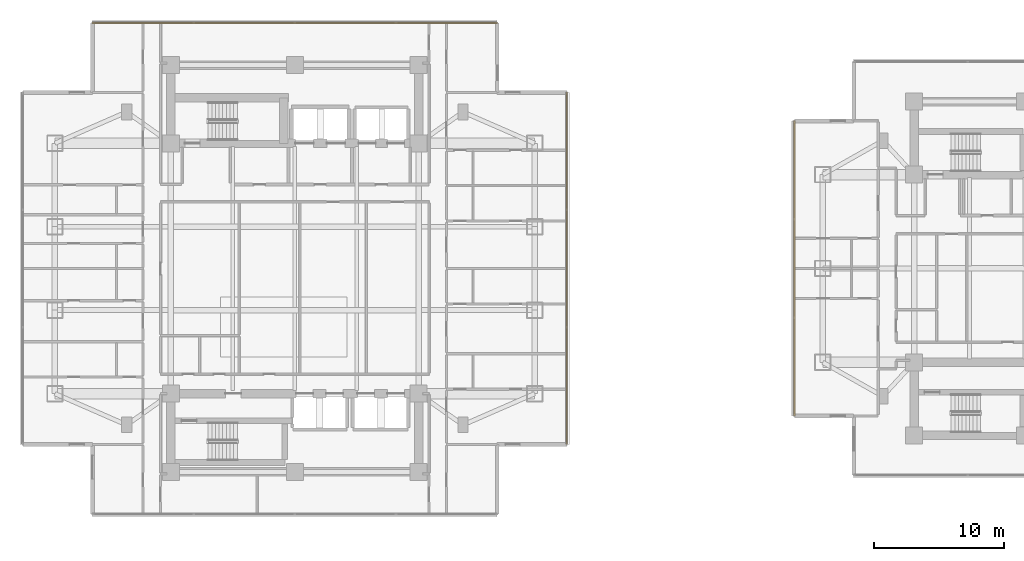
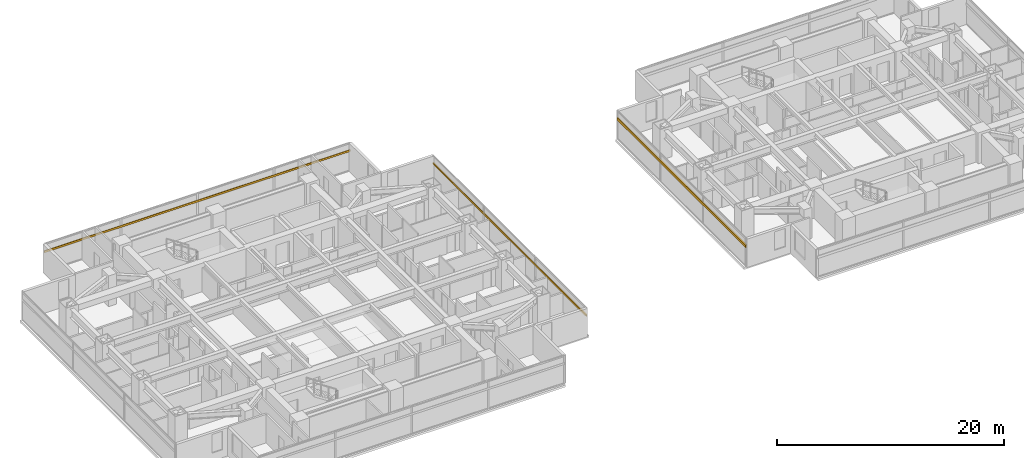
# One storey, part 24 of 27: 3 shading devices.
"""IFC4 building model written with IfcOpenShell, lengths in metres."""

from ifc_helpers import new_model, si_unit, direction, frame, origin, origin_2d, place, context, subcontext, project, spatial, rectangle, extrude, material, material_profile, profile_set, type_object, element, save


model = new_model("IFC4")

# Units and contexts
model_context = context("Model", 3, precision=1e-05, world=origin(), true_north=direction((0.0, 1.0)))
body_context = subcontext(model_context, "Body", "Model", "MODEL_VIEW")
ifc_project = project(units=[si_unit("LENGTHUNIT", "METRE"), si_unit("AREAUNIT", "SQUARE_METRE"), si_unit("VOLUMEUNIT", "CUBIC_METRE"), si_unit("PLANEANGLEUNIT", "RADIAN"), si_unit("MASSUNIT", "GRAM", prefix="KILO")], contexts=[model_context])

# Site, building, storey
site_placement = place(None, origin())
site = spatial("IfcSite", under=ifc_project, at=site_placement, CompositionType="ELEMENT")
building_placement = place(site_placement, origin())
building = spatial("IfcBuilding", under=site, at=building_placement, Name="Mirazonda Arch Towers", CompositionType="ELEMENT")
storey_placement = place(building_placement, frame((0.0, 0.0, 55.39990234375)))
storey = spatial("IfcBuildingStorey", under=building, at=storey_placement, Name="L15", CompositionType="ELEMENT", Elevation=55.39990234375)

# Shading devices
ifc_material = material(Name="Kiln-Fired Architectural Terracotta", Category="masonry")
ifc_material_profile_1 = material_profile(ifc_material, rectangle(XDim=0.10009765625, YDim=0.199951171875, at=origin_2d()), Name="TERRA-BAG-100x200")
ifc_profile_set_1 = profile_set([ifc_material_profile_1], Name="Kiln-Fired Architectural Terracotta")
shading_device_type_1 = type_object("IfcShadingDeviceType", Name="BAGUETTE-2", PredefinedType="USERDEFINED", material=ifc_profile_set_1)
shading_device_1_placement = place(storey_placement, frame((41.360107421875, 14.501953125, 2.18896484375), z_axis=(0.0, 1.0, 0.0), x_axis=(-1.0, 0.0, 0.0)))
element("IfcShadingDevice", 1, at=shading_device_1_placement, inside=storey, type_object=shading_device_type_1, Name="L15 Glazed Terracotta Sun-Screen Baguette CW-L15-T1-E", ObjectType="BAGUETTE", PredefinedType="USERDEFINED", context=body_context, shape_type="SweptSolid", body=[
    extrude(rectangle(XDim=0.10009765625, YDim=0.199951171875, at=origin_2d()), origin(), (0.0, 0.0, 1.0), 26.99609375),
])
shading_device_2_placement = place(storey_placement, frame((4.97998046875, 46.837890625, 2.18896484375), z_axis=(1.0, 0.0, 0.0), x_axis=(0.0, 1.0, 0.0)))
element("IfcShadingDevice", 2, at=shading_device_2_placement, inside=storey, type_object=shading_device_type_1, Name="L15 Glazed Terracotta Sun-Screen Baguette CW-L15-T1-N", ObjectType="BAGUETTE", PredefinedType="USERDEFINED", context=body_context, shape_type="SweptSolid", body=[
    extrude(rectangle(XDim=0.10009765625, YDim=0.199951171875, at=origin_2d()), origin(), (0.0, 0.0, 1.0), 31.0400390625),
])
ifc_material_profile_2 = material_profile(ifc_material, rectangle(XDim=0.139892578125, YDim=0.280029296875, at=origin_2d()), Name="TERRA-BAG-140x280")
ifc_profile_set_2 = profile_set([ifc_material_profile_2], Name="Kiln-Fired Architectural Terracotta")
shading_device_type_2 = type_object("IfcShadingDeviceType", Name="BAGUETTE-3", PredefinedType="USERDEFINED", material=ifc_profile_set_2)
shading_device_3_placement = place(storey_placement, frame((58.822021484375, 39.313232421875, 2.18896484375), z_axis=(0.0, -1.0, 0.0), x_axis=(1.0, 0.0, 0.0)))
element("IfcShadingDevice", 3, at=shading_device_3_placement, inside=storey, type_object=shading_device_type_2, Name="L15 Glazed Terracotta Sun-Screen Baguette CW-L15-T2-W", ObjectType="BAGUETTE", PredefinedType="USERDEFINED", context=body_context, shape_type="SweptSolid", body=[
    extrude(rectangle(XDim=0.139892578125, YDim=0.280029296875, at=origin_2d()), origin(), (0.0, 0.0, 1.0), 22.62646484375),
])

save(model, "model.ifc")
